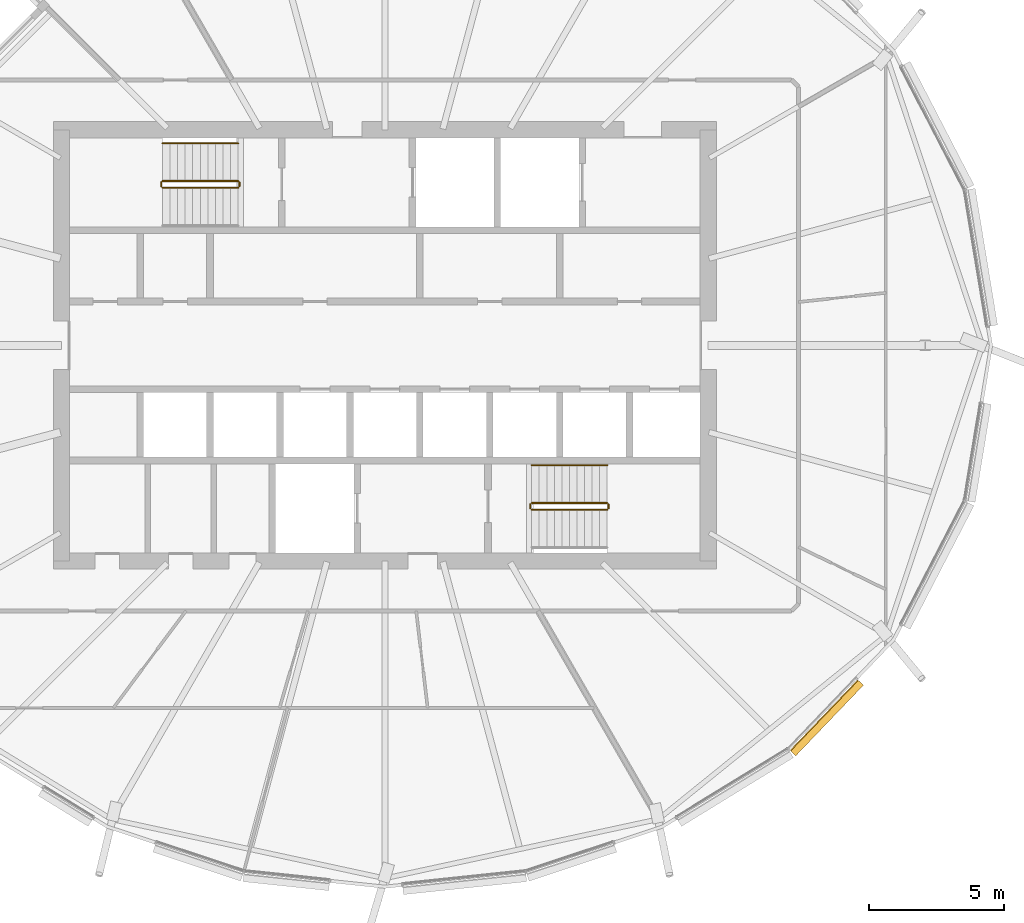
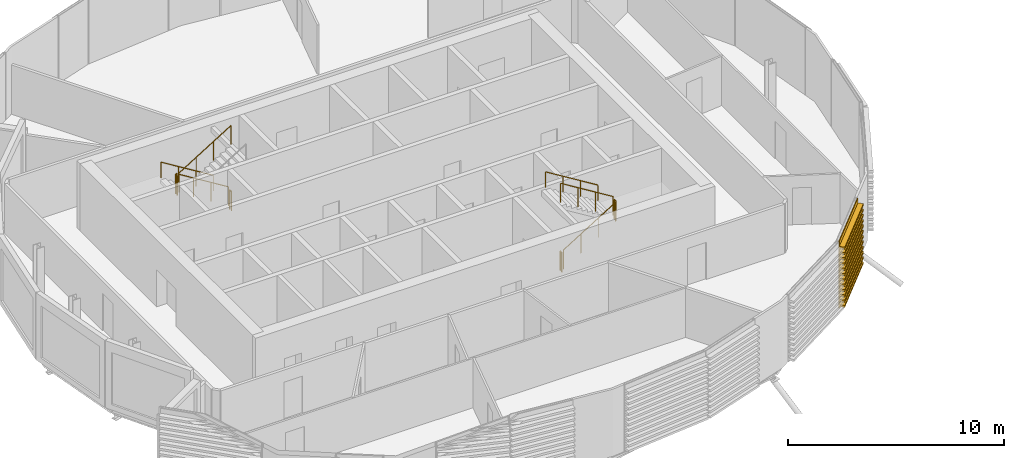
# One storey, part 33 of 37: 10 railings, 1 covering.
"""IFC4 building model written with IfcOpenShell, lengths in metres."""

from ifc_helpers import new_model, si_unit, direction, frame, origin, origin_2d, place, context, subcontext, project, spatial, polyline, circle, outline, extrude, material, material_profile, profile_set, type_object, element, save


model = new_model("IFC4")

# Units and contexts
model_context = context("Model", 3, precision=1e-05, world=origin(), true_north=direction((0.0, 1.0)))
body_context = subcontext(model_context, "Body", "Model", "MODEL_VIEW")
ifc_project = project(units=[si_unit("LENGTHUNIT", "METRE"), si_unit("AREAUNIT", "SQUARE_METRE"), si_unit("VOLUMEUNIT", "CUBIC_METRE"), si_unit("PLANEANGLEUNIT", "RADIAN"), si_unit("MASSUNIT", "GRAM", prefix="KILO")], contexts=[model_context])

# Site, building, storey
site_placement = place(None, origin())
site = spatial("IfcSite", under=ifc_project, at=site_placement, CompositionType="ELEMENT")
building_placement = place(site_placement, origin())
building = spatial("IfcBuilding", under=site, at=building_placement, Name="Rimbun Link Towers", CompositionType="ELEMENT")
storey_placement = place(building_placement, frame((0.0, 0.0, 162.699951171875)))
storey = spatial("IfcBuildingStorey", under=building, at=storey_placement, Name="L39", CompositionType="ELEMENT", Elevation=162.699951171875)

# Railings
ifc_material_1 = material(Name="Stainless steel grade 316", Category="steel")
railing_type_1 = type_object("IfcRailingType", Name="Stair guard", PredefinedType="GUARDRAIL", material=ifc_material_1)
railing_1_placement = place(storey_placement, frame((-37.199951171875, 6.10009765625, 0.1728515625)))
element("IfcRailing", 1, at=railing_1_placement, inside=storey, type_object=railing_type_1, Name="L39 ST1 stair guard 1", PredefinedType="GUARDRAIL", context=body_context, shape_type="SweptSolid", body=[
    extrude(circle(Radius=0.02392578125, at=origin_2d()), frame((0.0, 0.0, 1.076171875), z_axis=(-0.851089632645, 0.0, 0.525020415988), x_axis=(0.0, -1.0, 0.0)), (0.0, 0.0, 1.0), 3.2900390625),
    extrude(circle(Radius=0.02099609375, at=origin_2d()), origin(), (0.0, 0.0, 1.0), 1.052001953125),
    extrude(circle(Radius=0.02099609375, at=origin_2d()), frame((-0.933349609375, 0.0, 0.57568359375)), (0.0, 0.0, 1.0), 1.052001953125),
    extrude(circle(Radius=0.02099609375, at=origin_2d()), frame((-1.86669921875, 0.0, 1.151611328125)), (0.0, 0.0, 1.0), 1.052001953125),
    extrude(circle(Radius=0.02099609375, at=origin_2d()), frame((-2.800048828125, 0.0, 1.727294921875)), (0.0, 0.0, 1.0), 1.052001953125),
])
railing_2_placement = place(storey_placement, frame((-40.050048828125, 6.050048828125, 1.900146484375)))
element("IfcRailing", 2, at=railing_2_placement, inside=storey, type_object=railing_type_1, Name="L39 ST1 stair guard 2", PredefinedType="GUARDRAIL", context=body_context, shape_type="SweptSolid", body=[
    extrude(circle(Radius=0.02392578125, at=origin_2d()), frame((0.0, 0.0, 1.076171875), z_axis=(0.0, -1.0, 0.0), x_axis=(1.0, 0.0, 0.0)), (0.0, 0.0, 1.0), 0.150146484375),
    extrude(circle(Radius=0.02099609375, at=origin_2d()), origin(), (0.0, 0.0, 1.0), 1.052001953125),
    extrude(circle(Radius=0.02099609375, at=origin_2d()), frame((0.0, -0.150146484375, 0.0)), (0.0, 0.0, 1.0), 1.052001953125),
])
railing_3_placement = place(storey_placement, frame((-40.0, 5.85009765625, 2.07275390625)))
element("IfcRailing", 3, at=railing_3_placement, inside=storey, type_object=railing_type_1, Name="L39 ST1 stair guard 3", PredefinedType="GUARDRAIL", context=body_context, shape_type="SweptSolid", body=[
    extrude(circle(Radius=0.02392578125, at=origin_2d()), frame((0.0, 0.0, 1.076171875), z_axis=(0.851089632645, 0.0, 0.525020415988), x_axis=(0.0, 1.0, 0.0)), (0.0, 0.0, 1.0), 3.2900390625),
    extrude(circle(Radius=0.02099609375, at=origin_2d()), origin(), (0.0, 0.0, 1.0), 1.052001953125),
    extrude(circle(Radius=0.02099609375, at=origin_2d()), frame((0.933349609375, 0.0, 0.57568359375)), (0.0, 0.0, 1.0), 1.052001953125),
    extrude(circle(Radius=0.02099609375, at=origin_2d()), frame((1.86669921875, 0.0, 1.151611328125)), (0.0, 0.0, 1.0), 1.052001953125),
    extrude(circle(Radius=0.02099609375, at=origin_2d()), frame((2.800048828125, 0.0, 1.727294921875)), (0.0, 0.0, 1.0), 1.052001953125),
])
railing_4_placement = place(storey_placement, frame((-37.14990234375, 6.050048828125, 0.0)))
element("IfcRailing", 4, at=railing_4_placement, inside=storey, type_object=railing_type_1, Name="L39 ST1 stair guard 4", PredefinedType="GUARDRAIL", context=body_context, shape_type="SweptSolid", body=[
    extrude(circle(Radius=0.02392578125, at=origin_2d()), frame((0.0, 0.0, 1.076171875), z_axis=(0.0, -1.0, 0.0), x_axis=(1.0, 0.0, 0.0)), (0.0, 0.0, 1.0), 0.150146484375),
    extrude(circle(Radius=0.02099609375, at=origin_2d()), origin(), (0.0, 0.0, 1.0), 1.052001953125),
    extrude(circle(Radius=0.02099609375, at=origin_2d()), frame((0.0, -0.150146484375, 0.0)), (0.0, 0.0, 1.0), 1.052001953125),
])
railing_5_placement = place(storey_placement, frame((-26.300048828125, -6.10009765625, 0.1728515625)))
element("IfcRailing", 5, at=railing_5_placement, inside=storey, type_object=railing_type_1, Name="L39 ST2 stair guard 1", PredefinedType="GUARDRAIL", context=body_context, shape_type="SweptSolid", body=[
    extrude(circle(Radius=0.02392578125, at=origin_2d()), frame((0.0, 0.0, 1.076171875), z_axis=(0.851089632645, 0.0, 0.525020415988), x_axis=(0.0, 1.0, 0.0)), (0.0, 0.0, 1.0), 3.2900390625),
    extrude(circle(Radius=0.02099609375, at=origin_2d()), origin(), (0.0, 0.0, 1.0), 1.052001953125),
    extrude(circle(Radius=0.02099609375, at=origin_2d()), frame((0.933349609375, 0.0, 0.57568359375)), (0.0, 0.0, 1.0), 1.052001953125),
    extrude(circle(Radius=0.02099609375, at=origin_2d()), frame((1.86669921875, 0.0, 1.151611328125)), (0.0, 0.0, 1.0), 1.052001953125),
    extrude(circle(Radius=0.02099609375, at=origin_2d()), frame((2.800048828125, 0.0, 1.727294921875)), (0.0, 0.0, 1.0), 1.052001953125),
])
railing_6_placement = place(storey_placement, frame((-23.449951171875, -6.050048828125, 1.900146484375)))
element("IfcRailing", 6, at=railing_6_placement, inside=storey, type_object=railing_type_1, Name="L39 ST2 stair guard 2", PredefinedType="GUARDRAIL", context=body_context, shape_type="SweptSolid", body=[
    extrude(circle(Radius=0.02392578125, at=origin_2d()), frame((0.0, 0.0, 1.076171875), z_axis=(0.0, 1.0, 0.0), x_axis=(-1.0, 0.0, 0.0)), (0.0, 0.0, 1.0), 0.150146484375),
    extrude(circle(Radius=0.02099609375, at=origin_2d()), origin(), (0.0, 0.0, 1.0), 1.052001953125),
    extrude(circle(Radius=0.02099609375, at=origin_2d()), frame((0.0, 0.150146484375, 0.0)), (0.0, 0.0, 1.0), 1.052001953125),
])
railing_7_placement = place(storey_placement, frame((-23.5, -5.85009765625, 2.07275390625)))
element("IfcRailing", 7, at=railing_7_placement, inside=storey, type_object=railing_type_1, Name="L39 ST2 stair guard 3", PredefinedType="GUARDRAIL", context=body_context, shape_type="SweptSolid", body=[
    extrude(circle(Radius=0.02392578125, at=origin_2d()), frame((0.0, 0.0, 1.076171875), z_axis=(-0.851089632645, 0.0, 0.525020415988), x_axis=(0.0, -1.0, 0.0)), (0.0, 0.0, 1.0), 3.2900390625),
    extrude(circle(Radius=0.02099609375, at=origin_2d()), origin(), (0.0, 0.0, 1.0), 1.052001953125),
    extrude(circle(Radius=0.02099609375, at=origin_2d()), frame((-0.933349609375, 0.0, 0.57568359375)), (0.0, 0.0, 1.0), 1.052001953125),
    extrude(circle(Radius=0.02099609375, at=origin_2d()), frame((-1.86669921875, 0.0, 1.151611328125)), (0.0, 0.0, 1.0), 1.052001953125),
    extrude(circle(Radius=0.02099609375, at=origin_2d()), frame((-2.800048828125, 0.0, 1.727294921875)), (0.0, 0.0, 1.0), 1.052001953125),
])
railing_8_placement = place(storey_placement, frame((-26.35009765625, -6.050048828125, 0.0)))
element("IfcRailing", 8, at=railing_8_placement, inside=storey, type_object=railing_type_1, Name="L39 ST2 stair guard 4", PredefinedType="GUARDRAIL", context=body_context, shape_type="SweptSolid", body=[
    extrude(circle(Radius=0.02392578125, at=origin_2d()), frame((0.0, 0.0, 1.076171875), z_axis=(0.0, 1.0, 0.0), x_axis=(-1.0, 0.0, 0.0)), (0.0, 0.0, 1.0), 0.150146484375),
    extrude(circle(Radius=0.02099609375, at=origin_2d()), origin(), (0.0, 0.0, 1.0), 1.052001953125),
    extrude(circle(Radius=0.02099609375, at=origin_2d()), frame((0.0, 0.150146484375, 0.0)), (0.0, 0.0, 1.0), 1.052001953125),
])
ifc_material_2 = material(Name="Stainless steel grade 316", Category="steel")
railing_type_2 = type_object("IfcRailingType", Name="Stair handrail", PredefinedType="HANDRAIL", material=ifc_material_2)
for number, where, name in (
    (9, (-37.199951171875, 7.5, 0.1728515625), "L39 ST1 stair handrail 1"),
    (10, (-23.5, -4.449951171875, 2.07275390625), "L39 ST2 stair handrail 2"),
):
    element("IfcRailing", number, at=place(storey_placement, frame(where)), inside=storey, type_object=railing_type_2, Name=name, PredefinedType="HANDRAIL", context=body_context, shape_type="SweptSolid", body=[
        extrude(circle(Radius=0.02392578125, at=origin_2d()), frame((0.0, 0.0, 0.8759765625), z_axis=(-0.851089632645, 0.0, 0.525020415988), x_axis=(0.0, -1.0, 0.0)), (0.0, 0.0, 1.0), 3.2900390625),
        extrude(circle(Radius=0.02099609375, at=origin_2d()), origin(), (0.0, 0.0, 1.0), 0.851806640625),
        extrude(circle(Radius=0.02099609375, at=origin_2d()), frame((-0.933349609375, 0.0, 0.57568359375)), (0.0, 0.0, 1.0), 0.851806640625),
        extrude(circle(Radius=0.02099609375, at=origin_2d()), frame((-1.86669921875, 0.0, 1.151611328125)), (0.0, 0.0, 1.0), 0.851806640625),
        extrude(circle(Radius=0.02099609375, at=origin_2d()), frame((-2.800048828125, 0.0, 1.727294921875)), (0.0, 0.0, 1.0), 0.851806640625),
    ])

# Covering
ifc_material_3 = material(Name="Terracotta", Category="masonry")
ifc_material_profile = material_profile(ifc_material_3, outline(polyline([(0.123046875, 0.0), (0.1630859375, 0.0), (0.1630859375, 0.10009765625), (0.423095703125, 0.10009765625), (0.423095703125, 0.219970703125), (0.1630859375, 0.219970703125), (0.1630859375, 0.39990234375), (0.423095703125, 0.39990234375), (0.423095703125, 0.52001953125), (0.1630859375, 0.52001953125), (0.1630859375, 0.699951171875), (0.423095703125, 0.699951171875), (0.423095703125, 0.820068359375), (0.1630859375, 0.820068359375), (0.1630859375, 1.0), (0.423095703125, 1.0), (0.423095703125, 1.1201171875), (0.1630859375, 1.1201171875), (0.1630859375, 1.300048828125), (0.423095703125, 1.300048828125), (0.423095703125, 1.419921875), (0.1630859375, 1.419921875), (0.1630859375, 1.60009765625), (0.423095703125, 1.60009765625), (0.423095703125, 1.719970703125), (0.1630859375, 1.719970703125), (0.1630859375, 1.89990234375), (0.423095703125, 1.89990234375), (0.423095703125, 2.02001953125), (0.1630859375, 2.02001953125), (0.1630859375, 2.199951171875), (0.423095703125, 2.199951171875), (0.423095703125, 2.320068359375), (0.1630859375, 2.320068359375), (0.1630859375, 2.5), (0.423095703125, 2.5), (0.423095703125, 2.6201171875), (0.1630859375, 2.6201171875), (0.1630859375, 2.800048828125), (0.423095703125, 2.800048828125), (0.423095703125, 2.919921875), (0.1630859375, 2.919921875), (0.1630859375, 3.10009765625), (0.423095703125, 3.10009765625), (0.423095703125, 3.219970703125), (0.1630859375, 3.219970703125), (0.1630859375, 3.39990234375), (0.423095703125, 3.39990234375), (0.423095703125, 3.52001953125), (0.1630859375, 3.52001953125), (0.1630859375, 3.800048828125), (0.123046875, 3.800048828125), (0.123046875, 0.0)])), Name="BAGUETTE 120X300")
ifc_profile_set = profile_set([ifc_material_profile], Name="Terracotta")
covering_type = type_object("IfcCoveringType", Name="TERRACOTTA BAGUETTE 120X300 H3800", PredefinedType="CLADDING", material=ifc_profile_set)
covering_placement = place(storey_placement, frame((-14.2939453125, -12.321044921875, 0.0), z_axis=(-0.692060112177, -0.721839872225, 0.0), x_axis=(0.721839872225, -0.692060112177, 0.0)))
element("IfcCovering", 11, at=covering_placement, inside=storey, type_object=covering_type, Name="TERRACOTTA BAGUETTE", PredefinedType="CLADDING", context=body_context, shape_type="SweptSolid", body=[
    extrude(outline(polyline([(0.123046875, 0.0), (0.1630859375, 0.0), (0.1630859375, 0.10009765625), (0.423095703125, 0.10009765625), (0.423095703125, 0.219970703125), (0.1630859375, 0.219970703125), (0.1630859375, 0.39990234375), (0.423095703125, 0.39990234375), (0.423095703125, 0.52001953125), (0.1630859375, 0.52001953125), (0.1630859375, 0.699951171875), (0.423095703125, 0.699951171875), (0.423095703125, 0.820068359375), (0.1630859375, 0.820068359375), (0.1630859375, 1.0), (0.423095703125, 1.0), (0.423095703125, 1.1201171875), (0.1630859375, 1.1201171875), (0.1630859375, 1.300048828125), (0.423095703125, 1.300048828125), (0.423095703125, 1.419921875), (0.1630859375, 1.419921875), (0.1630859375, 1.60009765625), (0.423095703125, 1.60009765625), (0.423095703125, 1.719970703125), (0.1630859375, 1.719970703125), (0.1630859375, 1.89990234375), (0.423095703125, 1.89990234375), (0.423095703125, 2.02001953125), (0.1630859375, 2.02001953125), (0.1630859375, 2.199951171875), (0.423095703125, 2.199951171875), (0.423095703125, 2.320068359375), (0.1630859375, 2.320068359375), (0.1630859375, 2.5), (0.423095703125, 2.5), (0.423095703125, 2.6201171875), (0.1630859375, 2.6201171875), (0.1630859375, 2.800048828125), (0.423095703125, 2.800048828125), (0.423095703125, 2.919921875), (0.1630859375, 2.919921875), (0.1630859375, 3.10009765625), (0.423095703125, 3.10009765625), (0.423095703125, 3.219970703125), (0.1630859375, 3.219970703125), (0.1630859375, 3.39990234375), (0.423095703125, 3.39990234375), (0.423095703125, 3.52001953125), (0.1630859375, 3.52001953125), (0.1630859375, 3.800048828125), (0.123046875, 3.800048828125), (0.123046875, 0.0)])), origin(), (0.0, 0.0, 1.0), 3.6318359375),
])

save(model, "model.ifc")
